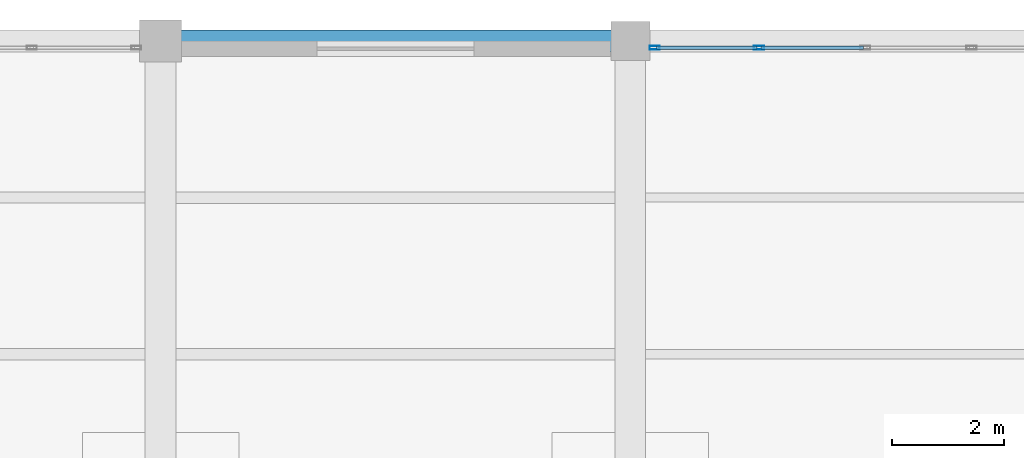
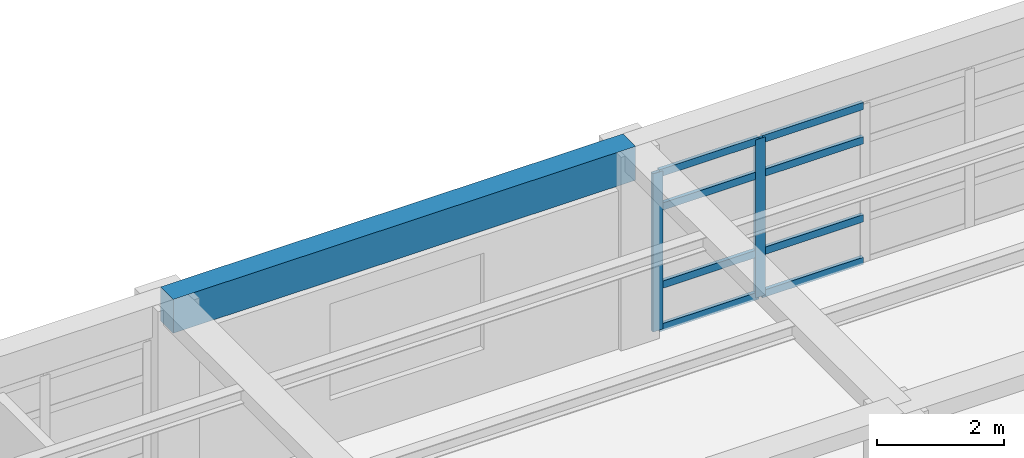
# One storey, part 21 of 31: 10 members, 1 beam, 1 element without a shape of its own.
"""IFC4 building model written with IfcOpenShell, lengths in metres."""

from ifc_helpers import new_model, si_unit, direction, frame, origin, origin_2d, place, context, subcontext, project, spatial, rectangle, hollow_rectangle, extrude, material, material_profile, profile_set, type_object, element, aggregate, save


model = new_model("IFC4")

# Units and contexts
model_context = context("Model", 3, precision=1e-05, world=origin(), true_north=direction((0.0, 1.0)))
body_context = subcontext(model_context, "Body", "Model", "MODEL_VIEW")
ifc_project = project(units=[si_unit("LENGTHUNIT", "METRE"), si_unit("AREAUNIT", "SQUARE_METRE"), si_unit("VOLUMEUNIT", "CUBIC_METRE"), si_unit("PLANEANGLEUNIT", "RADIAN"), si_unit("MASSUNIT", "GRAM", prefix="KILO")], contexts=[model_context])

# Site, building, storey
site_placement = place(None, origin())
site = spatial("IfcSite", under=ifc_project, at=site_placement, CompositionType="ELEMENT")
building_placement = place(site_placement, origin())
building = spatial("IfcBuilding", under=site, at=building_placement, Name="Almacenes y Pasaje Nevantli", CompositionType="ELEMENT")
storey_placement = place(building_placement, frame((0.0, 0.0, 34.699951171875)))
storey = spatial("IfcBuildingStorey", under=building, at=storey_placement, Name="L08", CompositionType="ELEMENT", Elevation=34.699951171875)

# Beam
ifc_material_1 = material(Name="Concrete C35/45", Category="concrete")
ifc_material_profile_1 = material_profile(ifc_material_1, rectangle(XDim=0.39990234375, YDim=0.64990234375, at=origin_2d()), Name="RC-BM-400x650")
ifc_profile_set_1 = profile_set([ifc_material_profile_1], Name="Concrete C35/45")
beam_type = type_object("IfcBeamType", Name="BM-RC-400x650", PredefinedType="SPANDREL", material=ifc_profile_set_1)
beam_placement = place(storey_placement, frame((117.60009765625, 100.800048828125, 3.39501953125), z_axis=(1.0, 0.0, 0.0), x_axis=(0.0, 1.0, 0.0)))
element("IfcBeam", 1, at=beam_placement, inside=storey, type_object=beam_type, Name="L08 East-West Reinforced Concrete Beam #3710", PredefinedType="SPANDREL", context=body_context, shape_type="SweptSolid", body=[
    extrude(rectangle(XDim=0.39990234375, YDim=0.64990234375, at=origin_2d()), origin(), (0.0, 0.0, 1.0), 8.39990234375),
])

# Curtain wall, members
ifc_material_2 = material(Name="Thermally Broken Aluminium and Low-E Glass", Category="aluminium")
curtain_wall_type = type_object("IfcCurtainWallType", Name="CW-UNIT-TOWER", PredefinedType="USERDEFINED", material=ifc_material_2)
curtain_wall_placement = place(storey_placement, origin())
curtain_wall = element("IfcCurtainWall", 2, at=curtain_wall_placement, inside=storey, type_object=curtain_wall_type, Name="L08 Tower North Boulevard Unitized Curtain Wall Bay 16", ObjectType="UNITIZED CURTAIN WALL", PredefinedType="USERDEFINED")
ifc_material_3 = material(Name="Thermally Broken Anodized Aluminium", Category="aluminium")
ifc_material_profile_2 = material_profile(ifc_material_3, hollow_rectangle(XDim=0.06494140625, YDim=0.179931640625, WallThickness=0.00390625, at=origin_2d()), Name="ALU-MUL-65x180")
ifc_profile_set_2 = profile_set([ifc_material_profile_2], Name="Thermally Broken Anodized Aluminium")
member_type_1 = type_object("IfcMemberType", Name="CW-MUL-200", PredefinedType="MULLION", material=ifc_profile_set_2)
member_1_placement = place(storey_placement, frame((126.4326171875, 100.679931640625, 0.0), z_axis=(0.0, 0.0, 1.0), x_axis=(0.0, 1.0, 0.0)))
member_1 = element("IfcMember", 3, at=member_1_placement, type_object=member_type_1, Name="CW-L08-123 mullion 1", PredefinedType="MULLION", context=body_context, shape_type="SweptSolid", body=[
    extrude(hollow_rectangle(XDim=0.06494140625, YDim=0.179931640625, WallThickness=0.00390625, at=origin_2d()), origin(), (0.0, 0.0, 1.0), 3.0400390625),
])
member_2_placement = place(storey_placement, frame((128.300048828125, 100.679931640625, 0.0), z_axis=(0.0, 0.0, 1.0), x_axis=(0.0, 1.0, 0.0)))
member_2 = element("IfcMember", 4, at=member_2_placement, type_object=member_type_1, Name="CW-L08-123 mullion 2", PredefinedType="MULLION", context=body_context, shape_type="SweptSolid", body=[
    extrude(hollow_rectangle(XDim=0.06494140625, YDim=0.179931640625, WallThickness=0.00390625, at=origin_2d()), origin(), (0.0, 0.0, 1.0), 3.0400390625),
])
ifc_material_4 = material(Name="Thermally Broken Anodized Aluminium", Category="aluminium")
ifc_material_profile_3 = material_profile(ifc_material_4, hollow_rectangle(XDim=0.06494140625, YDim=0.139892578125, WallThickness=0.00390625, at=origin_2d()), Name="ALU-TRN-65x140")
ifc_profile_set_3 = profile_set([ifc_material_profile_3], Name="Thermally Broken Anodized Aluminium")
member_type_2 = type_object("IfcMemberType", Name="CW-TRN-150", PredefinedType="USERDEFINED", material=ifc_profile_set_3)
member_3_placement = place(storey_placement, frame((126.465087890625, 100.679931640625, 0.032470703125), z_axis=(1.0, 0.0, 0.0), x_axis=(0.0, 1.0, 0.0)))
member_3 = element("IfcMember", 5, at=member_3_placement, type_object=member_type_2, Name="CW-L08-123 transom 1.1", ObjectType="TRANSOM", PredefinedType="USERDEFINED", context=body_context, shape_type="SweptSolid", body=[
    extrude(hollow_rectangle(XDim=0.06494140625, YDim=0.139892578125, WallThickness=0.00390625, at=origin_2d()), origin(), (0.0, 0.0, 1.0), 1.802490234375),
])
member_4_placement = place(storey_placement, frame((126.465087890625, 100.679931640625, 0.85009765625), z_axis=(1.0, 0.0, 0.0), x_axis=(0.0, 1.0, 0.0)))
member_4 = element("IfcMember", 6, at=member_4_placement, type_object=member_type_2, Name="CW-L08-123 transom 1.2", ObjectType="TRANSOM", PredefinedType="USERDEFINED", context=body_context, shape_type="SweptSolid", body=[
    extrude(hollow_rectangle(XDim=0.06494140625, YDim=0.139892578125, WallThickness=0.00390625, at=origin_2d()), origin(), (0.0, 0.0, 1.0), 1.802490234375),
])
member_5_placement = place(storey_placement, frame((126.465087890625, 100.679931640625, 2.35009765625), z_axis=(1.0, 0.0, 0.0), x_axis=(0.0, 1.0, 0.0)))
member_5 = element("IfcMember", 7, at=member_5_placement, type_object=member_type_2, Name="CW-L08-123 transom 1.3", ObjectType="TRANSOM", PredefinedType="USERDEFINED", context=body_context, shape_type="SweptSolid", body=[
    extrude(hollow_rectangle(XDim=0.06494140625, YDim=0.139892578125, WallThickness=0.00390625, at=origin_2d()), origin(), (0.0, 0.0, 1.0), 1.802490234375),
])
member_6_placement = place(storey_placement, frame((126.465087890625, 100.679931640625, 3.007568359375), z_axis=(1.0, 0.0, 0.0), x_axis=(0.0, 1.0, 0.0)))
member_6 = element("IfcMember", 8, at=member_6_placement, type_object=member_type_2, Name="CW-L08-123 transom 1.4", ObjectType="TRANSOM", PredefinedType="USERDEFINED", context=body_context, shape_type="SweptSolid", body=[
    extrude(hollow_rectangle(XDim=0.06494140625, YDim=0.139892578125, WallThickness=0.00390625, at=origin_2d()), origin(), (0.0, 0.0, 1.0), 1.802490234375),
])
member_7_placement = place(storey_placement, frame((128.33251953125, 100.679931640625, 0.032470703125), z_axis=(1.0, 0.0, 0.0), x_axis=(0.0, 1.0, 0.0)))
member_7 = element("IfcMember", 9, at=member_7_placement, type_object=member_type_2, Name="CW-L08-123 transom 2.1", ObjectType="TRANSOM", PredefinedType="USERDEFINED", context=body_context, shape_type="SweptSolid", body=[
    extrude(hollow_rectangle(XDim=0.06494140625, YDim=0.139892578125, WallThickness=0.00390625, at=origin_2d()), origin(), (0.0, 0.0, 1.0), 1.8349609375),
])
member_8_placement = place(storey_placement, frame((128.33251953125, 100.679931640625, 0.85009765625), z_axis=(1.0, 0.0, 0.0), x_axis=(0.0, 1.0, 0.0)))
member_8 = element("IfcMember", 10, at=member_8_placement, type_object=member_type_2, Name="CW-L08-123 transom 2.2", ObjectType="TRANSOM", PredefinedType="USERDEFINED", context=body_context, shape_type="SweptSolid", body=[
    extrude(hollow_rectangle(XDim=0.06494140625, YDim=0.139892578125, WallThickness=0.00390625, at=origin_2d()), origin(), (0.0, 0.0, 1.0), 1.8349609375),
])
member_9_placement = place(storey_placement, frame((128.33251953125, 100.679931640625, 2.35009765625), z_axis=(1.0, 0.0, 0.0), x_axis=(0.0, 1.0, 0.0)))
member_9 = element("IfcMember", 11, at=member_9_placement, type_object=member_type_2, Name="CW-L08-123 transom 2.3", ObjectType="TRANSOM", PredefinedType="USERDEFINED", context=body_context, shape_type="SweptSolid", body=[
    extrude(hollow_rectangle(XDim=0.06494140625, YDim=0.139892578125, WallThickness=0.00390625, at=origin_2d()), origin(), (0.0, 0.0, 1.0), 1.8349609375),
])
member_10_placement = place(storey_placement, frame((128.33251953125, 100.679931640625, 3.007568359375), z_axis=(1.0, 0.0, 0.0), x_axis=(0.0, 1.0, 0.0)))
member_10 = element("IfcMember", 12, at=member_10_placement, type_object=member_type_2, Name="CW-L08-123 transom 2.4", ObjectType="TRANSOM", PredefinedType="USERDEFINED", context=body_context, shape_type="SweptSolid", body=[
    extrude(hollow_rectangle(XDim=0.06494140625, YDim=0.139892578125, WallThickness=0.00390625, at=origin_2d()), origin(), (0.0, 0.0, 1.0), 1.8349609375),
])
aggregate(curtain_wall, [member_1, member_2, member_3, member_4, member_5, member_6, member_7, member_8, member_9, member_10])

save(model, "model.ifc")
